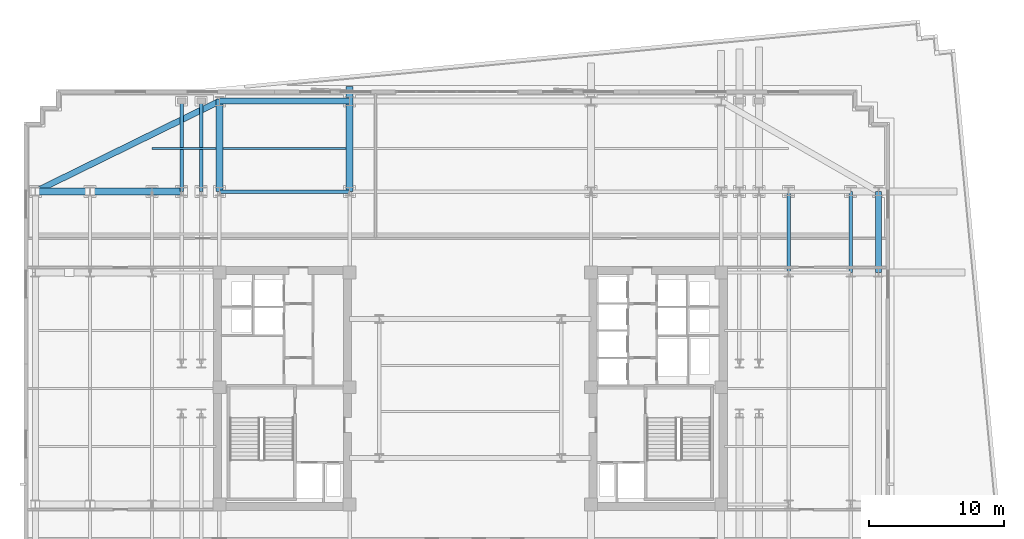
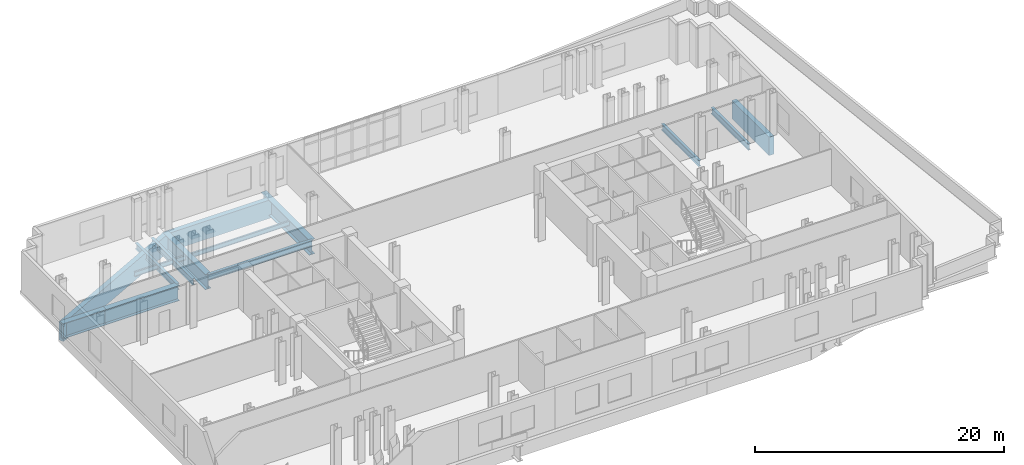
# One storey, part 3 of 14: 14 beams.
"""IFC4 building model written with IfcOpenShell, lengths in metres."""

import ifcopenshell
import ifcopenshell.guid

model = None  # the IFC model being written
_history = None  # IfcOwnerHistory: only IFC2X3 demands one
_inside = {}  # id of a spatial element -> (the spatial element, [elements in it])
_under = {}  # id of a project, library or spatial element -> (it, [spatial elements below it])
_declared = {}  # id of a project -> (the project, [libraries it declares])
_typed = {}  # id of a type object -> (the type object, [elements of that type])
_made_of = {}  # id of a material, layer set ... -> (it, [elements and type objects made of it])


def new_model(schema):
    """Start an empty IFC model of exactly this schema.

    Asked for "IFC4X3", IfcOpenShell would pick the latest addendum, in which some entities
    have other attributes; the version numbers below select the first issue.
    IFC2X3 requires an IfcOwnerHistory on every rooted entity: one is made here for all.
    """
    global model, _history
    if schema == "IFC4X3":
        model = ifcopenshell.file(schema_version=(4, 3, 0, 0))
    else:
        model = ifcopenshell.file(schema=schema)
    _inside.clear()
    _under.clear()
    _declared.clear()
    _typed.clear()
    _made_of.clear()
    _history = None
    if model.schema == "IFC2X3":
        org = make("IfcOrganization", Name="unknown")
        user = make(
            "IfcPersonAndOrganization",
            ThePerson=make("IfcPerson", FamilyName="unknown"),
            TheOrganization=org,
        )
        app = make(
            "IfcApplication",
            ApplicationDeveloper=org,
            Version="unknown",
            ApplicationFullName="unknown",
            ApplicationIdentifier="unknown",
        )
        _history = make(
            "IfcOwnerHistory",
            OwningUser=user,
            OwningApplication=app,
            ChangeAction="ADDED",
            CreationDate=0,
        )
    return model


def make(cls, **values):
    """One entity of the class cls with the attributes given. An attribute that is None is left unset."""
    return model.create_entity(
        cls, **{name: value for name, value in values.items() if value is not None}
    )


def rooted(cls, **values):
    """An entity with a GlobalId (a new one), such as an element, a storey or a relation."""
    return make(cls, GlobalId=ifcopenshell.guid.new(), OwnerHistory=_history, **values)


def si_unit(unit_type, name, prefix=None):
    """IfcSIUnit, for example si_unit("LENGTHUNIT", "METRE", prefix="MILLI")."""
    return make("IfcSIUnit", UnitType=unit_type, Prefix=prefix, Name=name)


def assignment(units):
    """IfcUnitAssignment: the units of a project."""
    return None if units is None else make("IfcUnitAssignment", Units=units)


def point(xyz):
    """IfcCartesianPoint."""
    return None if xyz is None else make("IfcCartesianPoint", Coordinates=xyz)


def direction(xyz):
    """IfcDirection."""
    return None if xyz is None else make("IfcDirection", DirectionRatios=xyz)


def frame(location, z_axis=None, x_axis=None):
    """IfcAxis2Placement3D, a coordinate frame: its origin and axes. An axis left out is left unset."""
    return make(
        "IfcAxis2Placement3D",
        Location=point(location),
        Axis=direction(z_axis),
        RefDirection=direction(x_axis),
    )


def frame_2d(location, x_axis=None):
    """IfcAxis2Placement2D, a coordinate frame in the plane: its origin and x axis."""
    return make(
        "IfcAxis2Placement2D", Location=point(location), RefDirection=direction(x_axis)
    )


def origin():
    """The frame at (0, 0, 0) with its axes left unset."""
    return frame((0.0, 0.0, 0.0))


def origin_2d():
    """The frame at (0, 0) in the plane with its x axis left unset."""
    return frame_2d((0.0, 0.0))


def place(relative_to, where):
    """IfcLocalPlacement: puts the frame where relative to a parent placement (None: the world)."""
    return make(
        "IfcLocalPlacement", PlacementRelTo=relative_to, RelativePlacement=where
    )


def context(
    kind, dimensions, precision=None, world=None, true_north=None, identifier=None
):
    """IfcGeometricRepresentationContext, for example the 3D "Model" context."""
    return make(
        "IfcGeometricRepresentationContext",
        ContextIdentifier=identifier,
        ContextType=kind,
        CoordinateSpaceDimension=dimensions,
        Precision=precision,
        WorldCoordinateSystem=world,
        TrueNorth=true_north,
    )


def subcontext(parent, identifier, kind, view, scale=None):
    """IfcGeometricRepresentationSubContext, for example "Body" below "Model"."""
    return make(
        "IfcGeometricRepresentationSubContext",
        ContextIdentifier=identifier,
        ContextType=kind,
        ParentContext=parent,
        TargetScale=scale,
        TargetView=view,
    )


def project(units=None, contexts=None):
    """IfcProject with its units and contexts."""
    return rooted(
        "IfcProject",
        Name="project",
        RepresentationContexts=contexts,
        UnitsInContext=assignment(units),
    )


def spatial(cls, under=None, at=None, **own):
    """A site, building, storey or space (cls), placed at a placement, below another one or the project."""
    s = rooted(cls, ObjectPlacement=at, **own)
    if under is not None:
        _under.setdefault(under.id(), (under, []))[1].append(s)
    return s


def profile(cls, at=None, kind="AREA", **sizes):
    """A parametric profile (cls). Its sizes go by their IFC names, for example OverallWidth=200.0."""
    return make(cls, ProfileType=kind, Position=at, **sizes)


def rectangle(**sizes):
    """IfcRectangleProfileDef."""
    return profile("IfcRectangleProfileDef", **sizes)


def i_section(**sizes):
    """IfcIShapeProfileDef."""
    return profile("IfcIShapeProfileDef", **sizes)


def extrude(swept, where, along, depth):
    """IfcExtrudedAreaSolid: the profile swept, set in the frame where, extruded along a direction by depth."""
    return make(
        "IfcExtrudedAreaSolid",
        SweptArea=swept,
        Position=where,
        ExtrudedDirection=direction(along),
        Depth=depth,
    )


def shape(context_of_items, identifier, shape_type, items):
    """IfcShapeRepresentation: the items that make up one representation, for example the "Body"."""
    return make(
        "IfcShapeRepresentation",
        ContextOfItems=context_of_items,
        RepresentationIdentifier=identifier,
        RepresentationType=shape_type,
        Items=items,
    )


def material(Name=None, Category=None):
    """IfcMaterial."""
    return make("IfcMaterial", Name=Name, Category=Category)


def material_profile(
    of_material, cross_section, Name=None, Category=None, Priority=None
):
    """IfcMaterialProfile: a cross section and its material."""
    return make(
        "IfcMaterialProfile",
        Name=Name,
        Material=of_material,
        Profile=cross_section,
        Priority=Priority,
        Category=Category,
    )


def profile_set(profiles, Name=None, composite=None):
    """IfcMaterialProfileSet."""
    return make(
        "IfcMaterialProfileSet",
        Name=Name,
        MaterialProfiles=profiles,
        CompositeProfile=composite,
    )


def made_of(thing, what):
    """Note that an element or type object is made of a material, layer set ...; save() writes the relation."""
    if what is not None:
        _made_of.setdefault(what.id(), (what, []))[1].append(thing)
    return thing


def type_object(cls, material=None, **own):
    """A type object (cls), such as IfcWallType, which elements share."""
    return made_of(rooted(cls, **own), material)


def element(
    cls,
    number,
    at=None,
    inside=None,
    cuts=None,
    type_object=None,
    material=None,
    context=None,
    identifier="Body",
    shape_type=None,
    held_by="IfcProductDefinitionShape",
    body=None,
    shapes=None,
    **own,
):
    """One element of the class cls, such as IfcWall. Its Tag is "e" and its number.

    at: its placement. inside: the storey or other place that contains it. cuts: it is an
    opening in that element (IfcRelVoidsElement). A single representation is given by context,
    identifier, shape_type and body (its items); several are given by shapes. held_by: the class
    of the entity that holds the representations. save() writes the other relations.
    """
    e = rooted(cls, Tag="e%d" % number, ObjectPlacement=at, **own)
    if body is not None:
        shapes = [shape(context, identifier, shape_type, body)]
    if shapes is not None:
        e.Representation = make(held_by, Representations=shapes)
    if inside is not None:
        _inside.setdefault(inside.id(), (inside, []))[1].append(e)
    if cuts is not None:
        rooted(
            "IfcRelVoidsElement", RelatingBuildingElement=cuts, RelatedOpeningElement=e
        )
    if type_object is not None:
        _typed.setdefault(type_object.id(), (type_object, []))[1].append(e)
    return made_of(e, material)


def aggregate(whole, parts):
    """IfcRelAggregates: a whole, such as a stair, and the parts it consists of."""
    return rooted("IfcRelAggregates", RelatingObject=whole, RelatedObjects=parts)


def save(model, path):
    """Write the relations noted so far, then the file.

    IfcRelAggregates (storeys below a building ...), IfcRelContainedInSpatialStructure (elements
    in a storey), IfcRelDefinesByType, IfcRelAssociatesMaterial and IfcRelDeclares: one each for
    every whole, place, type object, material and project.
    """
    for whole, parts in _under.values():
        aggregate(whole, parts)
    for where, things in _inside.values():
        rooted(
            "IfcRelContainedInSpatialStructure",
            RelatedElements=things,
            RelatingStructure=where,
        )
    for kind, things in _typed.values():
        rooted("IfcRelDefinesByType", RelatedObjects=things, RelatingType=kind)
    for what, things in _made_of.values():
        rooted("IfcRelAssociatesMaterial", RelatedObjects=things, RelatingMaterial=what)
    for by, libraries in _declared.values():
        rooted("IfcRelDeclares", RelatingContext=by, RelatedDefinitions=libraries)
    model.write(path)


model = new_model("IFC4")

# Units and contexts
model_context = context("Model", 3, precision=1e-05, world=origin(), true_north=direction((0.0, 1.0)))
body_context = subcontext(model_context, "Body", "Model", "MODEL_VIEW")
ifc_project = project(units=[si_unit("LENGTHUNIT", "METRE"), si_unit("AREAUNIT", "SQUARE_METRE"), si_unit("VOLUMEUNIT", "CUBIC_METRE"), si_unit("PLANEANGLEUNIT", "RADIAN"), si_unit("MASSUNIT", "GRAM", prefix="KILO")], contexts=[model_context])

# Site, building, storey
site_placement = place(None, origin())
site = spatial("IfcSite", under=ifc_project, at=site_placement, CompositionType="ELEMENT")
building_placement = place(site_placement, origin())
building = spatial("IfcBuilding", under=site, at=building_placement, Name="Velakula Bourse", CompositionType="ELEMENT")
storey_placement = place(building_placement, frame((0.0, 0.0, 116.64990234375)))
storey = spatial("IfcBuildingStorey", under=building, at=storey_placement, Name="L31", CompositionType="ELEMENT", Elevation=116.64990234375)

# Beams
ifc_material_1 = material(Name="Steel IS 2062 Grade 350 (E350)", Category="steel")
ifc_material_profile_1 = material_profile(ifc_material_1, i_section(OverallWidth=0.25, OverallDepth=0.60009765625, WebThickness=0.01123046875, FlangeThickness=0.021240234375, at=origin_2d()), Name="Steel IS 2062 Grade 350 (E350)")
ifc_profile_set_1 = profile_set([ifc_material_profile_1], Name="Steel IS 2062 Grade 350 (E350)")
beam_type_1 = type_object("IfcBeamType", Name="BM-GRD-600M", PredefinedType="BEAM", material=ifc_profile_set_1)
beam_1_placement = place(storey_placement, frame((-18.60009765625, 14.60009765625, -0.579833984375), z_axis=(1.0, 0.0, 0.0), x_axis=(0.0, 1.0, 0.0)))
element("IfcBeam", 1, at=beam_1_placement, inside=storey, type_object=beam_type_1, Name="L31 Fulcrum Grid Girder FLC-N1", PredefinedType="BEAM", context=body_context, shape_type="SweptSolid", body=[
    extrude(i_section(OverallWidth=0.25, OverallDepth=0.60009765625, WebThickness=0.01123046875, FlangeThickness=0.021240234375, at=origin_2d()), origin(), (0.0, 0.0, 1.0), 9.650146484375),
])
for number, where, z_axis, x_axis, name in (
    (2, (23.60009765625, 8.60009765625, -0.579833984375), (0.0, 1.0, 0.0), (-1.0, 0.0, 0.0), "L31 Fulcrum Grid Girder MWG-ENS3"),
    (3, (28.199951171875, 8.60009765625, -0.579833984375), (0.0, 1.0, 0.0), (-1.0, 0.0, 0.0), "L31 Fulcrum Grid Girder WNG-ENS3"),
):
    element("IfcBeam", number, at=place(storey_placement, frame(where, z_axis=z_axis, x_axis=x_axis)), inside=storey, type_object=beam_type_1, Name=name, PredefinedType="BEAM", context=body_context, shape_type="SweptSolid", body=[
        extrude(i_section(OverallWidth=0.25, OverallDepth=0.60009765625, WebThickness=0.01123046875, FlangeThickness=0.021240234375, at=origin_2d()), origin(), (0.0, 0.0, 1.0), 6.0),
    ])
for number, where, z_axis, x_axis, name in (
    (4, (-21.39990234375, 14.60009765625, -0.579833984375), (0.0, 1.0, 0.0), (-1.0, 0.0, 0.0), "L31 Perimeter Tie Girder P05"),
    (5, (-19.949951171875, 14.60009765625, -0.579833984375), (0.0, 1.0, 0.0), (-1.0, 0.0, 0.0), "L31 Perimeter Tie Girder P06"),
):
    element("IfcBeam", number, at=place(storey_placement, frame(where, z_axis=z_axis, x_axis=x_axis)), inside=storey, type_object=beam_type_1, Name=name, PredefinedType="BEAM", context=body_context, shape_type="SweptSolid", body=[
        extrude(i_section(OverallWidth=0.25, OverallDepth=0.60009765625, WebThickness=0.01123046875, FlangeThickness=0.021240234375, at=origin_2d()), origin(), (0.0, 0.0, 1.0), 6.699951171875),
    ])
ifc_material_profile_2 = material_profile(ifc_material_1, i_section(OverallWidth=0.14990234375, OverallDepth=0.449951171875, WebThickness=0.009521484375, FlangeThickness=0.017333984375, at=origin_2d()), Name="Steel IS 2062 Grade 350 (E350)")
ifc_profile_set_2 = profile_set([ifc_material_profile_2], Name="Steel IS 2062 Grade 350 (E350)")
beam_type_2 = type_object("IfcBeamType", Name="JST-TWR-450", PredefinedType="JOIST", material=ifc_profile_set_2)
beam_2_placement = place(storey_placement, frame((-23.60009765625, 17.800048828125, -0.5048828125), z_axis=(1.0, 0.0, 0.0), x_axis=(0.0, 1.0, 0.0)))
element("IfcBeam", 6, at=beam_2_placement, inside=storey, type_object=beam_type_2, Name="L31 Trading Floor Composite Joist 17", PredefinedType="JOIST", context=body_context, shape_type="SweptSolid", body=[
    extrude(i_section(OverallWidth=0.14990234375, OverallDepth=0.449951171875, WebThickness=0.009521484375, FlangeThickness=0.017333984375, at=origin_2d()), origin(), (0.0, 0.0, 1.0), 4.739990234375),
])
beam_3_placement = place(storey_placement, frame((-18.340087890625, 17.800048828125, -0.5048828125), z_axis=(1.0, 0.0, 0.0), x_axis=(0.0, 1.0, 0.0)))
element("IfcBeam", 7, at=beam_3_placement, inside=storey, type_object=beam_type_2, Name="L31 Trading Floor Composite Joist 18", PredefinedType="JOIST", context=body_context, shape_type="SweptSolid", body=[
    extrude(i_section(OverallWidth=0.14990234375, OverallDepth=0.449951171875, WebThickness=0.009521484375, FlangeThickness=0.017333984375, at=origin_2d()), origin(), (0.0, 0.0, 1.0), 9.130126953125),
])
ifc_material_2 = material(Name="Concrete M50 (fck 50 MPa)", Category="concrete")
ifc_material_profile_3 = material_profile(ifc_material_2, rectangle(XDim=0.449951171875, YDim=1.800048828125, at=origin_2d()), Name="Concrete M50 (fck 50 MPa)")
ifc_profile_set_3 = profile_set([ifc_material_profile_3], Name="Concrete M50 (fck 50 MPa)")
beam_type_3 = type_object("IfcBeamType", Name="SPN-TRF-1800", PredefinedType="SPANDREL", material=ifc_profile_set_3)
beam_4_placement = place(storey_placement, frame((-18.60009765625, 21.300048828125, -1.179931640625), z_axis=(1.0, 0.0, 0.0), x_axis=(0.0, 1.0, 0.0)))
element("IfcBeam", 8, at=beam_4_placement, inside=storey, type_object=beam_type_3, Name="L31 Brick-Faced Precast Spandrel N1-N2", PredefinedType="SPANDREL", context=body_context, shape_type="SweptSolid", body=[
    extrude(rectangle(XDim=0.449951171875, YDim=1.800048828125, at=origin_2d()), origin(), (0.0, 0.0, 1.0), 9.650146484375),
])
beam_5_placement = place(storey_placement, frame((30.25, 8.60009765625, -1.179931640625), z_axis=(0.0, 1.0, 0.0), x_axis=(-1.0, 0.0, 0.0)))
element("IfcBeam", 9, at=beam_5_placement, inside=storey, type_object=beam_type_3, Name="L31 Brick-Faced Precast Spandrel E3-E4", PredefinedType="SPANDREL", context=body_context, shape_type="SweptSolid", body=[
    extrude(rectangle(XDim=0.449951171875, YDim=1.800048828125, at=origin_2d()), origin(), (0.0, 0.0, 1.0), 6.0),
])
beam_6_placement = place(storey_placement, frame((-18.60009765625, 21.300048828125, -1.179931640625), z_axis=(-0.897691282679, -0.440624966385, 0.0), x_axis=(0.440624966385, -0.897691282679, 0.0)))
element("IfcBeam", 10, at=beam_6_placement, inside=storey, type_object=beam_type_3, Name="L31 Brick-Faced Precast Spandrel N1-W4", PredefinedType="SPANDREL", context=body_context, shape_type="SweptSolid", body=[
    extrude(rectangle(XDim=0.449951171875, YDim=1.800048828125, at=origin_2d()), origin(), (0.0, 0.0, 1.0), 15.20556640625),
])
ifc_material_3 = material(Name="Steel IS 2062 Grade 450 (E450)", Category="steel")
ifc_material_profile_4 = material_profile(ifc_material_3, i_section(OverallWidth=0.52001953125, OverallDepth=1.5, WebThickness=0.030029296875, FlangeThickness=0.048095703125, at=origin_2d()), Name="Steel IS 2062 Grade 450 (E450)")
ifc_profile_set_4 = profile_set([ifc_material_profile_4], Name="Steel IS 2062 Grade 450 (E450)")
beam_type_4 = type_object("IfcBeamType", Name="TB-CANT-1500", PredefinedType="BEAM", material=ifc_profile_set_4)
beam_7_placement = place(storey_placement, frame((-18.60009765625, 14.60009765625, -1.02978515625), z_axis=(0.0, 1.0, 0.0), x_axis=(-1.0, 0.0, 0.0)))
element("IfcBeam", 11, at=beam_7_placement, inside=storey, type_object=beam_type_4, Name="L31 Block B3 Transfer Girder N1", PredefinedType="BEAM", context=body_context, shape_type="SweptSolid", body=[
    extrude(i_section(OverallWidth=0.52001953125, OverallDepth=1.5, WebThickness=0.030029296875, FlangeThickness=0.048095703125, at=origin_2d()), origin(), (0.0, 0.0, 1.0), 6.868896484375),
])
beam_8_placement = place(storey_placement, frame((-8.949951171875, 14.60009765625, -1.02978515625), z_axis=(0.0, 1.0, 0.0), x_axis=(-1.0, 0.0, 0.0)))
element("IfcBeam", 12, at=beam_8_placement, inside=storey, type_object=beam_type_4, Name="L31 Block B3 Transfer Girder N2", PredefinedType="BEAM", context=body_context, shape_type="SweptSolid", body=[
    extrude(i_section(OverallWidth=0.52001953125, OverallDepth=1.5, WebThickness=0.030029296875, FlangeThickness=0.048095703125, at=origin_2d()), origin(), (0.0, 0.0, 1.0), 7.798095703125),
])
beam_9_placement = place(storey_placement, frame((-21.39990234375, 14.60009765625, -1.02978515625), z_axis=(-1.0, 0.0, 0.0), x_axis=(0.0, -1.0, 0.0)))
element("IfcBeam", 13, at=beam_9_placement, inside=storey, type_object=beam_type_4, Name="L31 Collinear Transfer Back-Span Girder W4", PredefinedType="BEAM", context=body_context, shape_type="SweptSolid", body=[
    extrude(i_section(OverallWidth=0.52001953125, OverallDepth=1.5, WebThickness=0.030029296875, FlangeThickness=0.048095703125, at=origin_2d()), origin(), (0.0, 0.0, 1.0), 6.800048828125),
])
beam_10_placement = place(storey_placement, frame((-28.199951171875, 14.60009765625, -1.02978515625), z_axis=(-1.0, 0.0, 0.0), x_axis=(0.0, -1.0, 0.0)))
element("IfcBeam", 14, at=beam_10_placement, inside=storey, type_object=beam_type_4, Name="L31 Primary Cantilever Transfer Chord W4", PredefinedType="BEAM", context=body_context, shape_type="SweptSolid", body=[
    extrude(i_section(OverallWidth=0.52001953125, OverallDepth=1.5, WebThickness=0.030029296875, FlangeThickness=0.048095703125, at=origin_2d()), origin(), (0.0, 0.0, 1.0), 4.050048828125),
])

save(model, "model.ifc")
